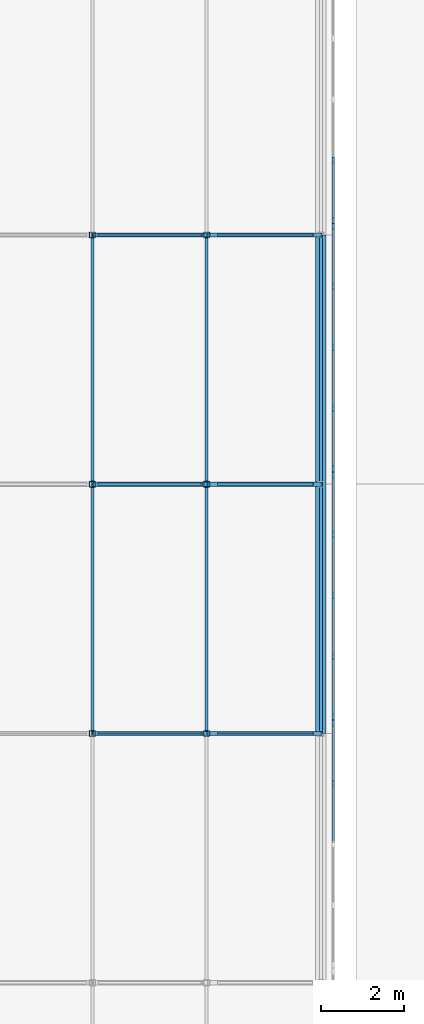
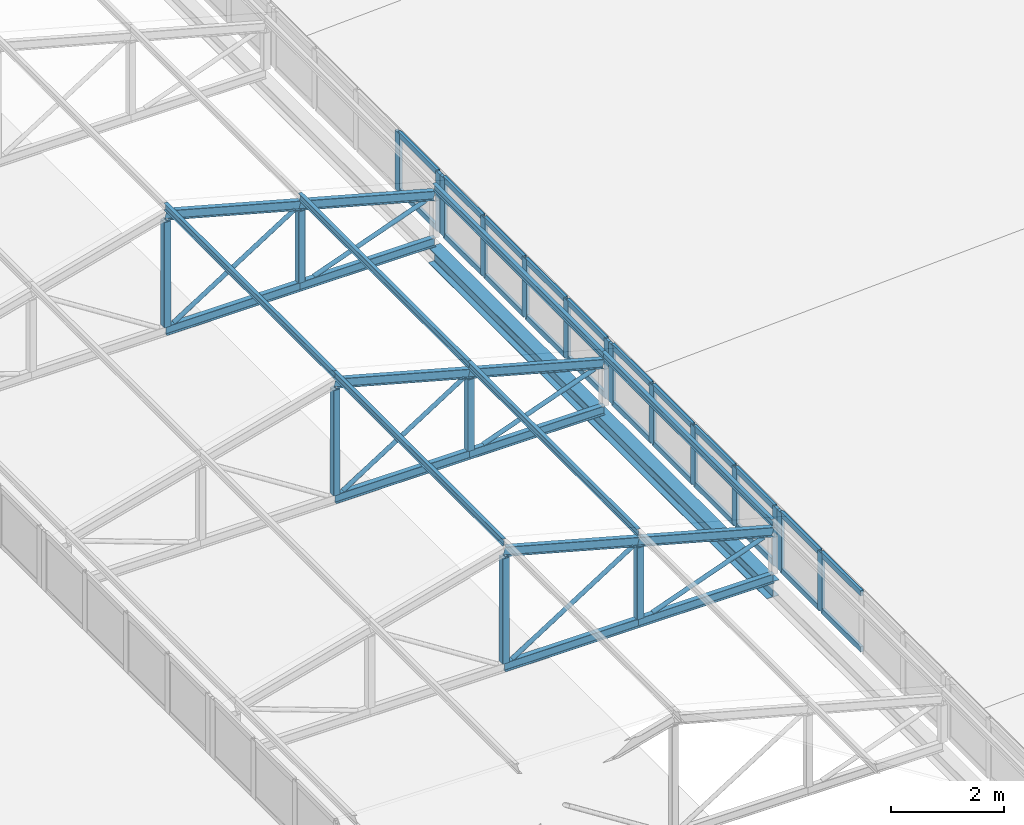
# One storey, part 10 of 94: 66 members, 1 beam, 4 elements without a shape of their own.
"""IFC4 building model written with IfcOpenShell, lengths in metres."""

from ifc_helpers import new_model, si_unit, direction, frame, origin, origin_2d, place, context, subcontext, project, spatial, rectangle, hollow_rectangle, hollow_circle, i_section, extrude, material, layer, layer_set, material_profile, profile_set, type_object, element, aggregate, save


model = new_model("IFC4")

# Units and contexts
model_context = context("Model", 3, precision=1e-05, world=origin(), true_north=direction((0.0, 1.0)))
body_context = subcontext(model_context, "Body", "Model", "MODEL_VIEW")
ifc_project = project(units=[si_unit("LENGTHUNIT", "METRE"), si_unit("AREAUNIT", "SQUARE_METRE"), si_unit("VOLUMEUNIT", "CUBIC_METRE"), si_unit("PLANEANGLEUNIT", "RADIAN"), si_unit("MASSUNIT", "GRAM", prefix="KILO")], contexts=[model_context])

# Site, building, storey
site_placement = place(None, origin())
site = spatial("IfcSite", under=ifc_project, at=site_placement, CompositionType="ELEMENT")
building_placement = place(site_placement, origin())
building = spatial("IfcBuilding", under=site, at=building_placement, Name="Lilac Gate Convention Centre", CompositionType="ELEMENT")
storey_placement = place(building_placement, frame((0.0, 0.0, 21.0)))
storey = spatial("IfcBuildingStorey", under=building, at=storey_placement, Name="L04", CompositionType="ELEMENT", Elevation=21.0)

# Curtain wall, members
ifc_material_1 = material(Name="Aluminium framed double glazing", Category="aluminium")
ifc_layer = layer(ifc_material_1, 0.199951171875)
ifc_layer_set = layer_set([ifc_layer], Name="Aluminium framed double glazing")
curtain_wall_type = type_object("IfcCurtainWallType", Name="Unitised curtain wall 1500", PredefinedType="NOTDEFINED", material=ifc_layer_set)
curtain_wall_1_placement = place(storey_placement, origin())
curtain_wall_1 = element("IfcCurtainWall", 1, at=curtain_wall_1_placement, inside=storey, type_object=curtain_wall_type, Name="Lantern clerestory E 3", PredefinedType="NOTDEFINED")
ifc_material_2 = material(Name="Aluminium alloy 6063", Category="aluminium")
ifc_material_profile_1 = material_profile(ifc_material_2, rectangle(XDim=0.06005859375, YDim=0.159912109375, at=origin_2d()), Name="Curtain wall mullion 60 x 160")
ifc_profile_set_1 = profile_set([ifc_material_profile_1], Name="Aluminium alloy 6063")
member_type_1 = type_object("IfcMemberType", Name="Curtain wall mullion 60 x 160", PredefinedType="MULLION", material=ifc_profile_set_1)
member_1_placement = place(storey_placement, frame((28.89990234375, 46.80615234375, 0.0), z_axis=(0.0, 0.0, 1.0), x_axis=(-1.0, 0.0, 0.0)))
member_1 = element("IfcMember", 2, at=member_1_placement, type_object=member_type_1, Name="CW mullion 4", PredefinedType="MULLION", context=body_context, shape_type="SweptSolid", body=[
    extrude(rectangle(XDim=0.06005859375, YDim=0.159912109375, at=origin_2d()), origin(), (0.0, 0.0, 1.0), 1.272216796875),
])
member_2_placement = place(storey_placement, frame((28.89990234375, 48.244873046875, 0.0), z_axis=(0.0, 0.0, 1.0), x_axis=(-1.0, 0.0, 0.0)))
member_2 = element("IfcMember", 3, at=member_2_placement, type_object=member_type_1, Name="CW mullion 5", PredefinedType="MULLION", context=body_context, shape_type="SweptSolid", body=[
    extrude(rectangle(XDim=0.06005859375, YDim=0.159912109375, at=origin_2d()), origin(), (0.0, 0.0, 1.0), 1.272216796875),
])

curtain_wall_2_placement = place(storey_placement, origin())
curtain_wall_2 = element("IfcCurtainWall", 4, at=curtain_wall_2_placement, inside=storey, type_object=curtain_wall_type, Name="Lantern clerestory E 4", PredefinedType="NOTDEFINED")
member_3_placement = place(storey_placement, frame((28.89990234375, 48.405029296875, 0.0), z_axis=(0.0, 0.0, 1.0), x_axis=(-1.0, 0.0, 0.0)))
member_3 = element("IfcMember", 5, at=member_3_placement, type_object=member_type_1, Name="CW mullion 1", PredefinedType="MULLION", context=body_context, shape_type="SweptSolid", body=[
    extrude(rectangle(XDim=0.06005859375, YDim=0.159912109375, at=origin_2d()), origin(), (0.0, 0.0, 1.0), 1.272216796875),
])
member_4_placement = place(storey_placement, frame((28.89990234375, 49.84375, 0.0), z_axis=(0.0, 0.0, 1.0), x_axis=(-1.0, 0.0, 0.0)))
member_4 = element("IfcMember", 6, at=member_4_placement, type_object=member_type_1, Name="CW mullion 2", PredefinedType="MULLION", context=body_context, shape_type="SweptSolid", body=[
    extrude(rectangle(XDim=0.06005859375, YDim=0.159912109375, at=origin_2d()), origin(), (0.0, 0.0, 1.0), 1.272216796875),
])
member_5_placement = place(storey_placement, frame((28.89990234375, 51.3125, 0.0), z_axis=(0.0, 0.0, 1.0), x_axis=(-1.0, 0.0, 0.0)))
member_5 = element("IfcMember", 7, at=member_5_placement, type_object=member_type_1, Name="CW mullion 3", PredefinedType="MULLION", context=body_context, shape_type="SweptSolid", body=[
    extrude(rectangle(XDim=0.06005859375, YDim=0.159912109375, at=origin_2d()), origin(), (0.0, 0.0, 1.0), 1.272216796875),
])
member_6_placement = place(storey_placement, frame((28.89990234375, 52.78125, 0.0), z_axis=(0.0, 0.0, 1.0), x_axis=(-1.0, 0.0, 0.0)))
member_6 = element("IfcMember", 8, at=member_6_placement, type_object=member_type_1, Name="CW mullion 4", PredefinedType="MULLION", context=body_context, shape_type="SweptSolid", body=[
    extrude(rectangle(XDim=0.06005859375, YDim=0.159912109375, at=origin_2d()), origin(), (0.0, 0.0, 1.0), 1.272216796875),
])
member_7_placement = place(storey_placement, frame((28.89990234375, 54.219970703125, 0.0), z_axis=(0.0, 0.0, 1.0), x_axis=(-1.0, 0.0, 0.0)))
member_7 = element("IfcMember", 9, at=member_7_placement, type_object=member_type_1, Name="CW mullion 5", PredefinedType="MULLION", context=body_context, shape_type="SweptSolid", body=[
    extrude(rectangle(XDim=0.06005859375, YDim=0.159912109375, at=origin_2d()), origin(), (0.0, 0.0, 1.0), 1.272216796875),
])

curtain_wall_3_placement = place(storey_placement, origin())
curtain_wall_3 = element("IfcCurtainWall", 10, at=curtain_wall_3_placement, inside=storey, type_object=curtain_wall_type, Name="Lantern clerestory E 5", PredefinedType="NOTDEFINED")
member_8_placement = place(storey_placement, frame((28.89990234375, 54.380126953125, 0.0), z_axis=(0.0, 0.0, 1.0), x_axis=(-1.0, 0.0, 0.0)))
member_8 = element("IfcMember", 11, at=member_8_placement, type_object=member_type_1, Name="CW mullion 1", PredefinedType="MULLION", context=body_context, shape_type="SweptSolid", body=[
    extrude(rectangle(XDim=0.06005859375, YDim=0.159912109375, at=origin_2d()), origin(), (0.0, 0.0, 1.0), 1.272216796875),
])
member_9_placement = place(storey_placement, frame((28.89990234375, 55.81884765625, 0.0), z_axis=(0.0, 0.0, 1.0), x_axis=(-1.0, 0.0, 0.0)))
member_9 = element("IfcMember", 12, at=member_9_placement, type_object=member_type_1, Name="CW mullion 2", PredefinedType="MULLION", context=body_context, shape_type="SweptSolid", body=[
    extrude(rectangle(XDim=0.06005859375, YDim=0.159912109375, at=origin_2d()), origin(), (0.0, 0.0, 1.0), 1.272216796875),
])
member_10_placement = place(storey_placement, frame((28.89990234375, 57.28759765625, 0.0), z_axis=(0.0, 0.0, 1.0), x_axis=(-1.0, 0.0, 0.0)))
member_10 = element("IfcMember", 13, at=member_10_placement, type_object=member_type_1, Name="CW mullion 3", PredefinedType="MULLION", context=body_context, shape_type="SweptSolid", body=[
    extrude(rectangle(XDim=0.06005859375, YDim=0.159912109375, at=origin_2d()), origin(), (0.0, 0.0, 1.0), 1.272216796875),
])
member_11_placement = place(storey_placement, frame((28.89990234375, 58.75634765625, 0.0), z_axis=(0.0, 0.0, 1.0), x_axis=(-1.0, 0.0, 0.0)))
member_11 = element("IfcMember", 14, at=member_11_placement, type_object=member_type_1, Name="CW mullion 4", PredefinedType="MULLION", context=body_context, shape_type="SweptSolid", body=[
    extrude(rectangle(XDim=0.06005859375, YDim=0.159912109375, at=origin_2d()), origin(), (0.0, 0.0, 1.0), 1.272216796875),
])
member_12_placement = place(storey_placement, frame((28.89990234375, 60.195068359375, 0.0), z_axis=(0.0, 0.0, 1.0), x_axis=(-1.0, 0.0, 0.0)))
member_12 = element("IfcMember", 15, at=member_12_placement, type_object=member_type_1, Name="CW mullion 5", PredefinedType="MULLION", context=body_context, shape_type="SweptSolid", body=[
    extrude(rectangle(XDim=0.06005859375, YDim=0.159912109375, at=origin_2d()), origin(), (0.0, 0.0, 1.0), 1.272216796875),
])

curtain_wall_4_placement = place(storey_placement, origin())
curtain_wall_4 = element("IfcCurtainWall", 16, at=curtain_wall_4_placement, inside=storey, type_object=curtain_wall_type, Name="Lantern clerestory E 6", PredefinedType="NOTDEFINED")
member_13_placement = place(storey_placement, frame((28.89990234375, 60.35498046875, 0.0), z_axis=(0.0, 0.0, 1.0), x_axis=(-1.0, 0.0, 0.0)))
member_13 = element("IfcMember", 17, at=member_13_placement, type_object=member_type_1, Name="CW mullion 1", PredefinedType="MULLION", context=body_context, shape_type="SweptSolid", body=[
    extrude(rectangle(XDim=0.06005859375, YDim=0.159912109375, at=origin_2d()), origin(), (0.0, 0.0, 1.0), 1.272216796875),
])
member_14_placement = place(storey_placement, frame((28.89990234375, 61.793701171875, 0.0), z_axis=(0.0, 0.0, 1.0), x_axis=(-1.0, 0.0, 0.0)))
member_14 = element("IfcMember", 18, at=member_14_placement, type_object=member_type_1, Name="CW mullion 2", PredefinedType="MULLION", context=body_context, shape_type="SweptSolid", body=[
    extrude(rectangle(XDim=0.06005859375, YDim=0.159912109375, at=origin_2d()), origin(), (0.0, 0.0, 1.0), 1.272216796875),
])

# Member
ifc_material_profile_2 = material_profile(ifc_material_2, rectangle(XDim=0.06005859375, YDim=0.1201171875, at=origin_2d()), Name="Curtain wall transom 60 x 120")
ifc_profile_set_2 = profile_set([ifc_material_profile_2], Name="Aluminium alloy 6063")
member_type_2 = type_object("IfcMemberType", Name="Curtain wall transom 60 x 120", PredefinedType="USERDEFINED", material=ifc_profile_set_2)
member_15_placement = place(storey_placement, frame((28.89990234375, 45.367431640625, 0.030029296875), z_axis=(0.0, 1.0, 0.0), x_axis=(-1.0, 0.0, 0.0)))
member_15 = element("IfcMember", 19, at=member_15_placement, type_object=member_type_2, Name="CW transom 3.1", ObjectType="TRANSOM", PredefinedType="USERDEFINED", context=body_context, shape_type="SweptSolid", body=[
    extrude(rectangle(XDim=0.06005859375, YDim=0.1201171875, at=origin_2d()), origin(), (0.0, 0.0, 1.0), 1.40869140625),
])

member_16_placement = place(storey_placement, frame((28.89990234375, 45.367431640625, 1.2421875), z_axis=(0.0, 1.0, 0.0), x_axis=(-1.0, 0.0, 0.0)))
member_16 = element("IfcMember", 20, at=member_16_placement, type_object=member_type_2, Name="CW transom 3.2", ObjectType="TRANSOM", PredefinedType="USERDEFINED", context=body_context, shape_type="SweptSolid", body=[
    extrude(rectangle(XDim=0.06005859375, YDim=0.1201171875, at=origin_2d()), origin(), (0.0, 0.0, 1.0), 1.40869140625),
])

member_17_placement = place(storey_placement, frame((28.89990234375, 46.836181640625, 0.030029296875), z_axis=(0.0, 1.0, 0.0), x_axis=(-1.0, 0.0, 0.0)))
member_17 = element("IfcMember", 21, at=member_17_placement, type_object=member_type_2, Name="CW transom 4.1", ObjectType="TRANSOM", PredefinedType="USERDEFINED", context=body_context, shape_type="SweptSolid", body=[
    extrude(rectangle(XDim=0.06005859375, YDim=0.1201171875, at=origin_2d()), origin(), (0.0, 0.0, 1.0), 1.378662109375),
])

member_18_placement = place(storey_placement, frame((28.89990234375, 46.836181640625, 1.2421875), z_axis=(0.0, 1.0, 0.0), x_axis=(-1.0, 0.0, 0.0)))
member_18 = element("IfcMember", 22, at=member_18_placement, type_object=member_type_2, Name="CW transom 4.2", ObjectType="TRANSOM", PredefinedType="USERDEFINED", context=body_context, shape_type="SweptSolid", body=[
    extrude(rectangle(XDim=0.06005859375, YDim=0.1201171875, at=origin_2d()), origin(), (0.0, 0.0, 1.0), 1.378662109375),
])

aggregate(curtain_wall_1, [member_1, member_2, member_15, member_16, member_17, member_18])

member_19_placement = place(storey_placement, frame((28.89990234375, 48.43505859375, 0.030029296875), z_axis=(0.0, 1.0, 0.0), x_axis=(-1.0, 0.0, 0.0)))
member_19 = element("IfcMember", 23, at=member_19_placement, type_object=member_type_2, Name="CW transom 1.1", ObjectType="TRANSOM", PredefinedType="USERDEFINED", context=body_context, shape_type="SweptSolid", body=[
    extrude(rectangle(XDim=0.06005859375, YDim=0.1201171875, at=origin_2d()), origin(), (0.0, 0.0, 1.0), 1.378662109375),
])

member_20_placement = place(storey_placement, frame((28.89990234375, 48.43505859375, 1.2421875), z_axis=(0.0, 1.0, 0.0), x_axis=(-1.0, 0.0, 0.0)))
member_20 = element("IfcMember", 24, at=member_20_placement, type_object=member_type_2, Name="CW transom 1.2", ObjectType="TRANSOM", PredefinedType="USERDEFINED", context=body_context, shape_type="SweptSolid", body=[
    extrude(rectangle(XDim=0.06005859375, YDim=0.1201171875, at=origin_2d()), origin(), (0.0, 0.0, 1.0), 1.378662109375),
])

member_21_placement = place(storey_placement, frame((28.89990234375, 49.873779296875, 0.030029296875), z_axis=(0.0, 1.0, 0.0), x_axis=(-1.0, 0.0, 0.0)))
member_21 = element("IfcMember", 25, at=member_21_placement, type_object=member_type_2, Name="CW transom 2.1", ObjectType="TRANSOM", PredefinedType="USERDEFINED", context=body_context, shape_type="SweptSolid", body=[
    extrude(rectangle(XDim=0.06005859375, YDim=0.1201171875, at=origin_2d()), origin(), (0.0, 0.0, 1.0), 1.40869140625),
])

member_22_placement = place(storey_placement, frame((28.89990234375, 49.873779296875, 1.2421875), z_axis=(0.0, 1.0, 0.0), x_axis=(-1.0, 0.0, 0.0)))
member_22 = element("IfcMember", 26, at=member_22_placement, type_object=member_type_2, Name="CW transom 2.2", ObjectType="TRANSOM", PredefinedType="USERDEFINED", context=body_context, shape_type="SweptSolid", body=[
    extrude(rectangle(XDim=0.06005859375, YDim=0.1201171875, at=origin_2d()), origin(), (0.0, 0.0, 1.0), 1.40869140625),
])

member_23_placement = place(storey_placement, frame((28.89990234375, 51.342529296875, 0.030029296875), z_axis=(0.0, 1.0, 0.0), x_axis=(-1.0, 0.0, 0.0)))
member_23 = element("IfcMember", 27, at=member_23_placement, type_object=member_type_2, Name="CW transom 3.1", ObjectType="TRANSOM", PredefinedType="USERDEFINED", context=body_context, shape_type="SweptSolid", body=[
    extrude(rectangle(XDim=0.06005859375, YDim=0.1201171875, at=origin_2d()), origin(), (0.0, 0.0, 1.0), 1.40869140625),
])

member_24_placement = place(storey_placement, frame((28.89990234375, 51.342529296875, 1.2421875), z_axis=(0.0, 1.0, 0.0), x_axis=(-1.0, 0.0, 0.0)))
member_24 = element("IfcMember", 28, at=member_24_placement, type_object=member_type_2, Name="CW transom 3.2", ObjectType="TRANSOM", PredefinedType="USERDEFINED", context=body_context, shape_type="SweptSolid", body=[
    extrude(rectangle(XDim=0.06005859375, YDim=0.1201171875, at=origin_2d()), origin(), (0.0, 0.0, 1.0), 1.40869140625),
])

member_25_placement = place(storey_placement, frame((28.89990234375, 52.811279296875, 0.030029296875), z_axis=(0.0, 1.0, 0.0), x_axis=(-1.0, 0.0, 0.0)))
member_25 = element("IfcMember", 29, at=member_25_placement, type_object=member_type_2, Name="CW transom 4.1", ObjectType="TRANSOM", PredefinedType="USERDEFINED", context=body_context, shape_type="SweptSolid", body=[
    extrude(rectangle(XDim=0.06005859375, YDim=0.1201171875, at=origin_2d()), origin(), (0.0, 0.0, 1.0), 1.378662109375),
])

member_26_placement = place(storey_placement, frame((28.89990234375, 52.811279296875, 1.2421875), z_axis=(0.0, 1.0, 0.0), x_axis=(-1.0, 0.0, 0.0)))
member_26 = element("IfcMember", 30, at=member_26_placement, type_object=member_type_2, Name="CW transom 4.2", ObjectType="TRANSOM", PredefinedType="USERDEFINED", context=body_context, shape_type="SweptSolid", body=[
    extrude(rectangle(XDim=0.06005859375, YDim=0.1201171875, at=origin_2d()), origin(), (0.0, 0.0, 1.0), 1.378662109375),
])

aggregate(curtain_wall_2, [member_3, member_4, member_5, member_6, member_7, member_19, member_20, member_21, member_22, member_23, member_24, member_25, member_26])

member_27_placement = place(storey_placement, frame((28.89990234375, 54.41015625, 0.030029296875), z_axis=(0.0, 1.0, 0.0), x_axis=(-1.0, 0.0, 0.0)))
member_27 = element("IfcMember", 31, at=member_27_placement, type_object=member_type_2, Name="CW transom 1.1", ObjectType="TRANSOM", PredefinedType="USERDEFINED", context=body_context, shape_type="SweptSolid", body=[
    extrude(rectangle(XDim=0.06005859375, YDim=0.1201171875, at=origin_2d()), origin(), (0.0, 0.0, 1.0), 1.378662109375),
])

member_28_placement = place(storey_placement, frame((28.89990234375, 54.41015625, 1.2421875), z_axis=(0.0, 1.0, 0.0), x_axis=(-1.0, 0.0, 0.0)))
member_28 = element("IfcMember", 32, at=member_28_placement, type_object=member_type_2, Name="CW transom 1.2", ObjectType="TRANSOM", PredefinedType="USERDEFINED", context=body_context, shape_type="SweptSolid", body=[
    extrude(rectangle(XDim=0.06005859375, YDim=0.1201171875, at=origin_2d()), origin(), (0.0, 0.0, 1.0), 1.378662109375),
])

member_29_placement = place(storey_placement, frame((28.89990234375, 55.848876953125, 0.030029296875), z_axis=(0.0, 1.0, 0.0), x_axis=(-1.0, 0.0, 0.0)))
member_29 = element("IfcMember", 33, at=member_29_placement, type_object=member_type_2, Name="CW transom 2.1", ObjectType="TRANSOM", PredefinedType="USERDEFINED", context=body_context, shape_type="SweptSolid", body=[
    extrude(rectangle(XDim=0.06005859375, YDim=0.1201171875, at=origin_2d()), origin(), (0.0, 0.0, 1.0), 1.40869140625),
])

member_30_placement = place(storey_placement, frame((28.89990234375, 55.848876953125, 1.2421875), z_axis=(0.0, 1.0, 0.0), x_axis=(-1.0, 0.0, 0.0)))
member_30 = element("IfcMember", 34, at=member_30_placement, type_object=member_type_2, Name="CW transom 2.2", ObjectType="TRANSOM", PredefinedType="USERDEFINED", context=body_context, shape_type="SweptSolid", body=[
    extrude(rectangle(XDim=0.06005859375, YDim=0.1201171875, at=origin_2d()), origin(), (0.0, 0.0, 1.0), 1.40869140625),
])

member_31_placement = place(storey_placement, frame((28.89990234375, 57.317626953125, 0.030029296875), z_axis=(0.0, 1.0, 0.0), x_axis=(-1.0, 0.0, 0.0)))
member_31 = element("IfcMember", 35, at=member_31_placement, type_object=member_type_2, Name="CW transom 3.1", ObjectType="TRANSOM", PredefinedType="USERDEFINED", context=body_context, shape_type="SweptSolid", body=[
    extrude(rectangle(XDim=0.06005859375, YDim=0.1201171875, at=origin_2d()), origin(), (0.0, 0.0, 1.0), 1.40869140625),
])

member_32_placement = place(storey_placement, frame((28.89990234375, 57.317626953125, 1.2421875), z_axis=(0.0, 1.0, 0.0), x_axis=(-1.0, 0.0, 0.0)))
member_32 = element("IfcMember", 36, at=member_32_placement, type_object=member_type_2, Name="CW transom 3.2", ObjectType="TRANSOM", PredefinedType="USERDEFINED", context=body_context, shape_type="SweptSolid", body=[
    extrude(rectangle(XDim=0.06005859375, YDim=0.1201171875, at=origin_2d()), origin(), (0.0, 0.0, 1.0), 1.40869140625),
])

member_33_placement = place(storey_placement, frame((28.89990234375, 58.786376953125, 0.030029296875), z_axis=(0.0, 1.0, 0.0), x_axis=(-1.0, 0.0, 0.0)))
member_33 = element("IfcMember", 37, at=member_33_placement, type_object=member_type_2, Name="CW transom 4.1", ObjectType="TRANSOM", PredefinedType="USERDEFINED", context=body_context, shape_type="SweptSolid", body=[
    extrude(rectangle(XDim=0.06005859375, YDim=0.1201171875, at=origin_2d()), origin(), (0.0, 0.0, 1.0), 1.378662109375),
])

member_34_placement = place(storey_placement, frame((28.89990234375, 58.786376953125, 1.2421875), z_axis=(0.0, 1.0, 0.0), x_axis=(-1.0, 0.0, 0.0)))
member_34 = element("IfcMember", 38, at=member_34_placement, type_object=member_type_2, Name="CW transom 4.2", ObjectType="TRANSOM", PredefinedType="USERDEFINED", context=body_context, shape_type="SweptSolid", body=[
    extrude(rectangle(XDim=0.06005859375, YDim=0.1201171875, at=origin_2d()), origin(), (0.0, 0.0, 1.0), 1.378662109375),
])

aggregate(curtain_wall_3, [member_8, member_9, member_10, member_11, member_12, member_27, member_28, member_29, member_30, member_31, member_32, member_33, member_34])

member_35_placement = place(storey_placement, frame((28.89990234375, 60.385009765625, 0.030029296875), z_axis=(0.0, 1.0, 0.0), x_axis=(-1.0, 0.0, 0.0)))
member_35 = element("IfcMember", 39, at=member_35_placement, type_object=member_type_2, Name="CW transom 1.1", ObjectType="TRANSOM", PredefinedType="USERDEFINED", context=body_context, shape_type="SweptSolid", body=[
    extrude(rectangle(XDim=0.06005859375, YDim=0.1201171875, at=origin_2d()), origin(), (0.0, 0.0, 1.0), 1.378662109375),
])

member_36_placement = place(storey_placement, frame((28.89990234375, 60.385009765625, 1.2421875), z_axis=(0.0, 1.0, 0.0), x_axis=(-1.0, 0.0, 0.0)))
member_36 = element("IfcMember", 40, at=member_36_placement, type_object=member_type_2, Name="CW transom 1.2", ObjectType="TRANSOM", PredefinedType="USERDEFINED", context=body_context, shape_type="SweptSolid", body=[
    extrude(rectangle(XDim=0.06005859375, YDim=0.1201171875, at=origin_2d()), origin(), (0.0, 0.0, 1.0), 1.378662109375),
])

aggregate(curtain_wall_4, [member_13, member_14, member_35, member_36])

# Members
ifc_material_3 = material(Name="Steel Q355B", Category="steel")
ifc_material_profile_3 = material_profile(ifc_material_3, i_section(OverallWidth=0.10009765625, OverallDepth=0.199951171875, WebThickness=0.005615234375, FlangeThickness=0.008056640625, FilletRadius=0.008056640625, at=origin_2d()), Name="HN200x100x5.5x8")
ifc_profile_set_3 = profile_set([ifc_material_profile_3], Name="Steel Q355B")
member_type_3 = type_object("IfcMemberType", Name="Lantern bottom chord HN200x100x5.5x8", PredefinedType="CHORD", material=ifc_profile_set_3)
for number, where, z_axis, x_axis, name in (
    (41, (23.10009765625, 48.0, 0.10009765625), (1.0, 0.0, 0.0), (0.0, 1.0, 0.0), "LB1 lantern truss 4 bottom chord 3"),
    (42, (25.85009765625, 48.0, 0.10009765625), (1.0, 0.0, 0.0), (0.0, 1.0, 0.0), "LB1 lantern truss 4 bottom chord 4"),
    (43, (23.10009765625, 54.0, 0.10009765625), (1.0, 0.0, 0.0), (0.0, 1.0, 0.0), "LB1 lantern truss 5 bottom chord 3"),
    (44, (25.85009765625, 54.0, 0.10009765625), (1.0, 0.0, 0.0), (0.0, 1.0, 0.0), "LB1 lantern truss 5 bottom chord 4"),
    (45, (23.10009765625, 60.0, 0.10009765625), (1.0, 0.0, 0.0), (0.0, 1.0, 0.0), "LB1 lantern truss 6 bottom chord 3"),
    (46, (25.85009765625, 60.0, 0.10009765625), (1.0, 0.0, 0.0), (0.0, 1.0, 0.0), "LB1 lantern truss 6 bottom chord 4"),
):
    element("IfcMember", number, at=place(storey_placement, frame(where, z_axis=z_axis, x_axis=x_axis)), inside=storey, type_object=member_type_3, Name=name, PredefinedType="CHORD", context=body_context, shape_type="SweptSolid", body=[
        extrude(i_section(OverallWidth=0.10009765625, OverallDepth=0.199951171875, WebThickness=0.005615234375, FlangeThickness=0.008056640625, FilletRadius=0.008056640625, at=origin_2d()), origin(), (0.0, 0.0, 1.0), 2.75),
    ])
ifc_material_profile_4 = material_profile(ifc_material_3, hollow_circle(Radius=0.04443359375, WallThickness=0.0048828125, at=origin_2d()), Name="CHS88.9x5")
ifc_profile_set_4 = profile_set([ifc_material_profile_4], Name="Steel Q355B")
member_type_4 = type_object("IfcMemberType", Name="Lantern diagonal CHS88.9x5", PredefinedType="BRACE", material=ifc_profile_set_4)
member_37_placement = place(storey_placement, frame((25.74169921875, 48.0, 1.781005859375), z_axis=(-0.843671728148, 0.0, -0.536859399773), x_axis=(0.0, -1.0, 0.0)))
element("IfcMember", 47, at=member_37_placement, inside=storey, type_object=member_type_4, Name="LW1 lantern truss 4 diagonal 3", PredefinedType="BRACE", context=body_context, shape_type="SweptSolid", body=[
    extrude(hollow_circle(Radius=0.04443359375, WallThickness=0.0048828125, at=origin_2d()), origin(), (0.0, 0.0, 1.0), 2.945068359375),
])
member_38_placement = place(storey_placement, frame((28.410400390625, 48.0, 1.031005859375), z_axis=(-0.939793423488, 0.0, -0.341743063087), x_axis=(0.0, -1.0, 0.0)))
element("IfcMember", 48, at=member_38_placement, inside=storey, type_object=member_type_4, Name="LW1 lantern truss 4 diagonal 4", PredefinedType="BRACE", context=body_context, shape_type="SweptSolid", body=[
    extrude(hollow_circle(Radius=0.04443359375, WallThickness=0.0048828125, at=origin_2d()), origin(), (0.0, 0.0, 1.0), 2.431884765625),
])
member_39_placement = place(storey_placement, frame((25.74169921875, 54.0, 1.781005859375), z_axis=(-0.843671728148, 0.0, -0.536859399773), x_axis=(0.0, -1.0, 0.0)))
element("IfcMember", 49, at=member_39_placement, inside=storey, type_object=member_type_4, Name="LW1 lantern truss 5 diagonal 3", PredefinedType="BRACE", context=body_context, shape_type="SweptSolid", body=[
    extrude(hollow_circle(Radius=0.04443359375, WallThickness=0.0048828125, at=origin_2d()), origin(), (0.0, 0.0, 1.0), 2.945068359375),
])
member_40_placement = place(storey_placement, frame((28.410400390625, 54.0, 1.031005859375), z_axis=(-0.939793423488, 0.0, -0.341743063087), x_axis=(0.0, -1.0, 0.0)))
element("IfcMember", 50, at=member_40_placement, inside=storey, type_object=member_type_4, Name="LW1 lantern truss 5 diagonal 4", PredefinedType="BRACE", context=body_context, shape_type="SweptSolid", body=[
    extrude(hollow_circle(Radius=0.04443359375, WallThickness=0.0048828125, at=origin_2d()), origin(), (0.0, 0.0, 1.0), 2.431884765625),
])
member_41_placement = place(storey_placement, frame((25.74169921875, 60.0, 1.781005859375), z_axis=(-0.843671728148, 0.0, -0.536859399773), x_axis=(0.0, -1.0, 0.0)))
element("IfcMember", 51, at=member_41_placement, inside=storey, type_object=member_type_4, Name="LW1 lantern truss 6 diagonal 3", PredefinedType="BRACE", context=body_context, shape_type="SweptSolid", body=[
    extrude(hollow_circle(Radius=0.04443359375, WallThickness=0.0048828125, at=origin_2d()), origin(), (0.0, 0.0, 1.0), 2.945068359375),
])
member_42_placement = place(storey_placement, frame((28.410400390625, 60.0, 1.031005859375), z_axis=(-0.939793423488, 0.0, -0.341743063087), x_axis=(0.0, -1.0, 0.0)))
element("IfcMember", 52, at=member_42_placement, inside=storey, type_object=member_type_4, Name="LW1 lantern truss 6 diagonal 4", PredefinedType="BRACE", context=body_context, shape_type="SweptSolid", body=[
    extrude(hollow_circle(Radius=0.04443359375, WallThickness=0.0048828125, at=origin_2d()), origin(), (0.0, 0.0, 1.0), 2.431884765625),
])
ifc_material_profile_5 = material_profile(ifc_material_3, hollow_rectangle(XDim=0.139892578125, YDim=0.139892578125, WallThickness=0.0048828125, InnerFilletRadius=0.0048828125, OuterFilletRadius=0.010009765625, at=origin_2d()), Name="SHS140x140x5")
ifc_profile_set_5 = profile_set([ifc_material_profile_5], Name="Steel Q355B")
member_type_5 = type_object("IfcMemberType", Name="Lantern post SHS140x140x5", PredefinedType="STRUT", material=ifc_profile_set_5)
member_43_placement = place(storey_placement, frame((23.10009765625, 48.0, 0.199951171875), z_axis=(0.0, 0.0, 1.0), x_axis=(1.0, 0.0, 0.0)))
element("IfcMember", 53, at=member_43_placement, inside=storey, type_object=member_type_5, Name="LV1 lantern truss 4 post 3", PredefinedType="STRUT", context=body_context, shape_type="SweptSolid", body=[
    extrude(hollow_rectangle(XDim=0.139892578125, YDim=0.139892578125, WallThickness=0.0048828125, InnerFilletRadius=0.0048828125, OuterFilletRadius=0.010009765625, at=origin_2d()), origin(), (0.0, 0.0, 1.0), 2.277099609375),
])
member_44_placement = place(storey_placement, frame((25.85009765625, 48.0, 0.199951171875), z_axis=(0.0, 0.0, 1.0), x_axis=(1.0, 0.0, 0.0)))
element("IfcMember", 54, at=member_44_placement, inside=storey, type_object=member_type_5, Name="LV1 lantern truss 4 post 4", PredefinedType="STRUT", context=body_context, shape_type="SweptSolid", body=[
    extrude(hollow_rectangle(XDim=0.139892578125, YDim=0.139892578125, WallThickness=0.0048828125, InnerFilletRadius=0.0048828125, OuterFilletRadius=0.010009765625, at=origin_2d()), origin(), (0.0, 0.0, 1.0), 1.546142578125),
])
member_45_placement = place(storey_placement, frame((23.10009765625, 54.0, 0.199951171875), z_axis=(0.0, 0.0, 1.0), x_axis=(1.0, 0.0, 0.0)))
element("IfcMember", 55, at=member_45_placement, inside=storey, type_object=member_type_5, Name="LV1 lantern truss 5 post 3", PredefinedType="STRUT", context=body_context, shape_type="SweptSolid", body=[
    extrude(hollow_rectangle(XDim=0.139892578125, YDim=0.139892578125, WallThickness=0.0048828125, InnerFilletRadius=0.0048828125, OuterFilletRadius=0.010009765625, at=origin_2d()), origin(), (0.0, 0.0, 1.0), 2.277099609375),
])
member_46_placement = place(storey_placement, frame((25.85009765625, 54.0, 0.199951171875), z_axis=(0.0, 0.0, 1.0), x_axis=(1.0, 0.0, 0.0)))
element("IfcMember", 56, at=member_46_placement, inside=storey, type_object=member_type_5, Name="LV1 lantern truss 5 post 4", PredefinedType="STRUT", context=body_context, shape_type="SweptSolid", body=[
    extrude(hollow_rectangle(XDim=0.139892578125, YDim=0.139892578125, WallThickness=0.0048828125, InnerFilletRadius=0.0048828125, OuterFilletRadius=0.010009765625, at=origin_2d()), origin(), (0.0, 0.0, 1.0), 1.546142578125),
])
member_47_placement = place(storey_placement, frame((23.10009765625, 60.0, 0.199951171875), z_axis=(0.0, 0.0, 1.0), x_axis=(1.0, 0.0, 0.0)))
element("IfcMember", 57, at=member_47_placement, inside=storey, type_object=member_type_5, Name="LV1 lantern truss 6 post 3", PredefinedType="STRUT", context=body_context, shape_type="SweptSolid", body=[
    extrude(hollow_rectangle(XDim=0.139892578125, YDim=0.139892578125, WallThickness=0.0048828125, InnerFilletRadius=0.0048828125, OuterFilletRadius=0.010009765625, at=origin_2d()), origin(), (0.0, 0.0, 1.0), 2.277099609375),
])
member_48_placement = place(storey_placement, frame((25.85009765625, 60.0, 0.199951171875), z_axis=(0.0, 0.0, 1.0), x_axis=(1.0, 0.0, 0.0)))
element("IfcMember", 58, at=member_48_placement, inside=storey, type_object=member_type_5, Name="LV1 lantern truss 6 post 4", PredefinedType="STRUT", context=body_context, shape_type="SweptSolid", body=[
    extrude(hollow_rectangle(XDim=0.139892578125, YDim=0.139892578125, WallThickness=0.0048828125, InnerFilletRadius=0.0048828125, OuterFilletRadius=0.010009765625, at=origin_2d()), origin(), (0.0, 0.0, 1.0), 1.546142578125),
])
ifc_material_profile_6 = material_profile(ifc_material_3, i_section(OverallWidth=0.074951171875, OverallDepth=0.14990234375, WebThickness=0.0048828125, FlangeThickness=0.007080078125, FilletRadius=0.008056640625, at=origin_2d()), Name="HN150x75x5x7")
ifc_profile_set_6 = profile_set([ifc_material_profile_6], Name="Steel Q355B")
member_type_6 = type_object("IfcMemberType", Name="Lantern purlin HN150x75x5x7", PredefinedType="PURLIN", material=ifc_profile_set_6)
for number, where, z_axis, x_axis, name in (
    (59, (23.10009765625, 48.0, 2.779052734375), (0.0, 1.0, 0.0), (-1.0, 0.0, 0.0), "LP1 lantern purlin bay 4 line 3"),
    (60, (23.10009765625, 54.0, 2.779052734375), (0.0, 1.0, 0.0), (-1.0, 0.0, 0.0), "LP1 lantern purlin bay 5 line 3"),
    (61, (25.85009765625, 48.0, 2.029052734375), (0.0, 1.0, 0.0), (-1.0, 0.0, 0.0), "LP1 lantern purlin bay 4 line 4"),
    (62, (25.85009765625, 54.0, 2.029052734375), (0.0, 1.0, 0.0), (-1.0, 0.0, 0.0), "LP1 lantern purlin bay 5 line 4"),
    (63, (28.60009765625, 48.0, 1.279052734375), (0.0, 1.0, 0.0), (-1.0, 0.0, 0.0), "LP1 lantern purlin bay 4 line 5"),
    (64, (28.60009765625, 54.0, 1.279052734375), (0.0, 1.0, 0.0), (-1.0, 0.0, 0.0), "LP1 lantern purlin bay 5 line 5"),
):
    element("IfcMember", number, at=place(storey_placement, frame(where, z_axis=z_axis, x_axis=x_axis)), inside=storey, type_object=member_type_6, Name=name, PredefinedType="PURLIN", context=body_context, shape_type="SweptSolid", body=[
        extrude(i_section(OverallWidth=0.074951171875, OverallDepth=0.14990234375, WebThickness=0.0048828125, FlangeThickness=0.007080078125, FilletRadius=0.008056640625, at=origin_2d()), origin(), (0.0, 0.0, 1.0), 6.0),
    ])
ifc_material_profile_7 = material_profile(ifc_material_3, i_section(OverallWidth=0.10009765625, OverallDepth=0.199951171875, WebThickness=0.005615234375, FlangeThickness=0.008056640625, FilletRadius=0.008056640625, at=origin_2d()), Name="HN200x100x5.5x8")
ifc_profile_set_7 = profile_set([ifc_material_profile_7], Name="Steel Q355B")
member_type_7 = type_object("IfcMemberType", Name="Lantern top chord HN200x100x5.5x8", PredefinedType="CHORD", material=ifc_profile_set_7)
for number, where, z_axis, x_axis, name in (
    (65, (23.10009765625, 48.0, 2.60009765625), (0.964763821238, 0.0, -0.263117405792), (0.0, 1.0, 0.0), "LT1 lantern truss 4 top chord 3"),
    (66, (25.85009765625, 48.0, 1.85009765625), (0.964763821238, 0.0, -0.263117405792), (0.0, 1.0, 0.0), "LT1 lantern truss 4 top chord 4"),
    (67, (23.10009765625, 54.0, 2.60009765625), (0.964763821238, 0.0, -0.263117405792), (0.0, 1.0, 0.0), "LT1 lantern truss 5 top chord 3"),
    (68, (25.85009765625, 54.0, 1.85009765625), (0.964763821238, 0.0, -0.263117405792), (0.0, 1.0, 0.0), "LT1 lantern truss 5 top chord 4"),
    (69, (23.10009765625, 60.0, 2.60009765625), (0.964763821238, 0.0, -0.263117405792), (0.0, 1.0, 0.0), "LT1 lantern truss 6 top chord 3"),
    (70, (25.85009765625, 60.0, 1.85009765625), (0.964763821238, 0.0, -0.263117405792), (0.0, 1.0, 0.0), "LT1 lantern truss 6 top chord 4"),
):
    element("IfcMember", number, at=place(storey_placement, frame(where, z_axis=z_axis, x_axis=x_axis)), inside=storey, type_object=member_type_7, Name=name, PredefinedType="CHORD", context=body_context, shape_type="SweptSolid", body=[
        extrude(i_section(OverallWidth=0.10009765625, OverallDepth=0.199951171875, WebThickness=0.005615234375, FlangeThickness=0.008056640625, FilletRadius=0.008056640625, at=origin_2d()), origin(), (0.0, 0.0, 1.0), 2.850341796875),
    ])

# Beam
ifc_material_profile_8 = material_profile(ifc_material_3, i_section(OverallWidth=0.25, OverallDepth=0.340087890625, WebThickness=0.009033203125, FlangeThickness=0.013916015625, FilletRadius=0.012939453125, at=origin_2d()), Name="HM340x250x9x14")
ifc_profile_set_8 = profile_set([ifc_material_profile_8], Name="Steel Q355B")
beam_type = type_object("IfcBeamType", Name="Steel edge beam HM340x250x9x14", PredefinedType="BEAM", material=ifc_profile_set_8)
beam_placement = place(storey_placement, frame((28.60009765625, 48.0, -0.169921875), z_axis=(0.0, 1.0, 0.0), x_axis=(-1.0, 0.0, 0.0)))
element("IfcBeam", 71, at=beam_placement, inside=storey, type_object=beam_type, Name="LE1 lantern edge beam 3", PredefinedType="BEAM", context=body_context, shape_type="SweptSolid", body=[
    extrude(i_section(OverallWidth=0.25, OverallDepth=0.340087890625, WebThickness=0.009033203125, FlangeThickness=0.013916015625, FilletRadius=0.012939453125, at=origin_2d()), origin(), (0.0, 0.0, 1.0), 12.0),
])

save(model, "model.ifc")
